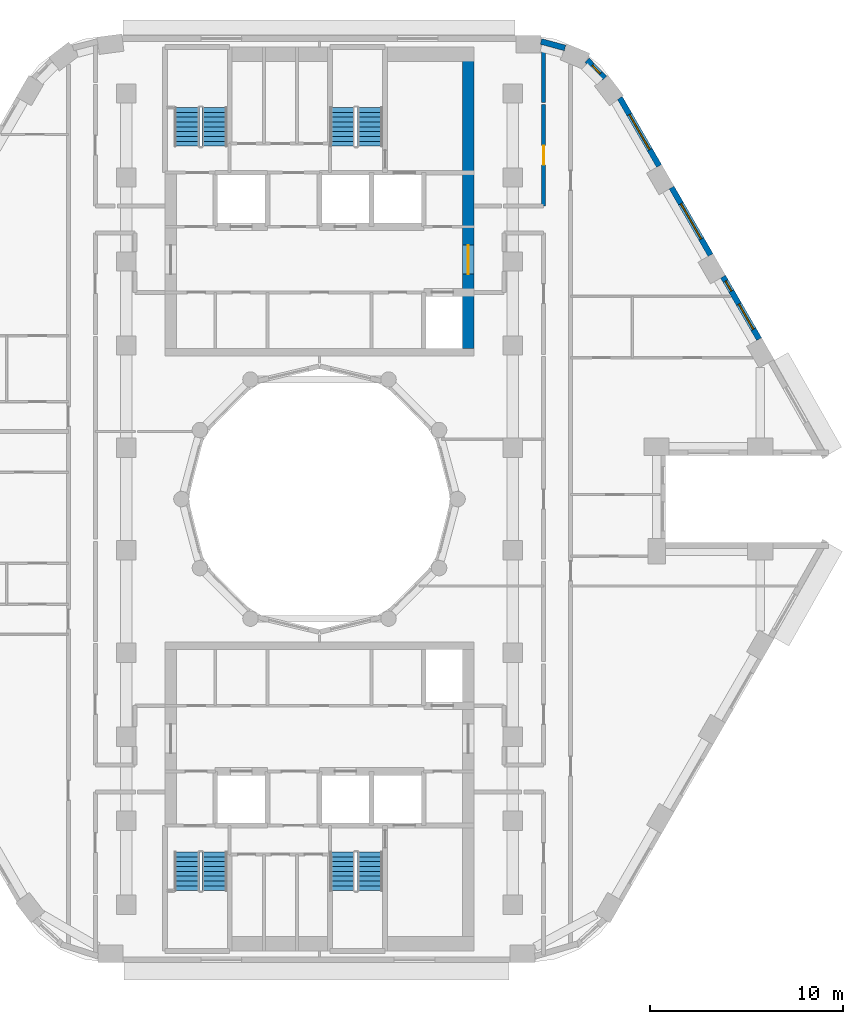
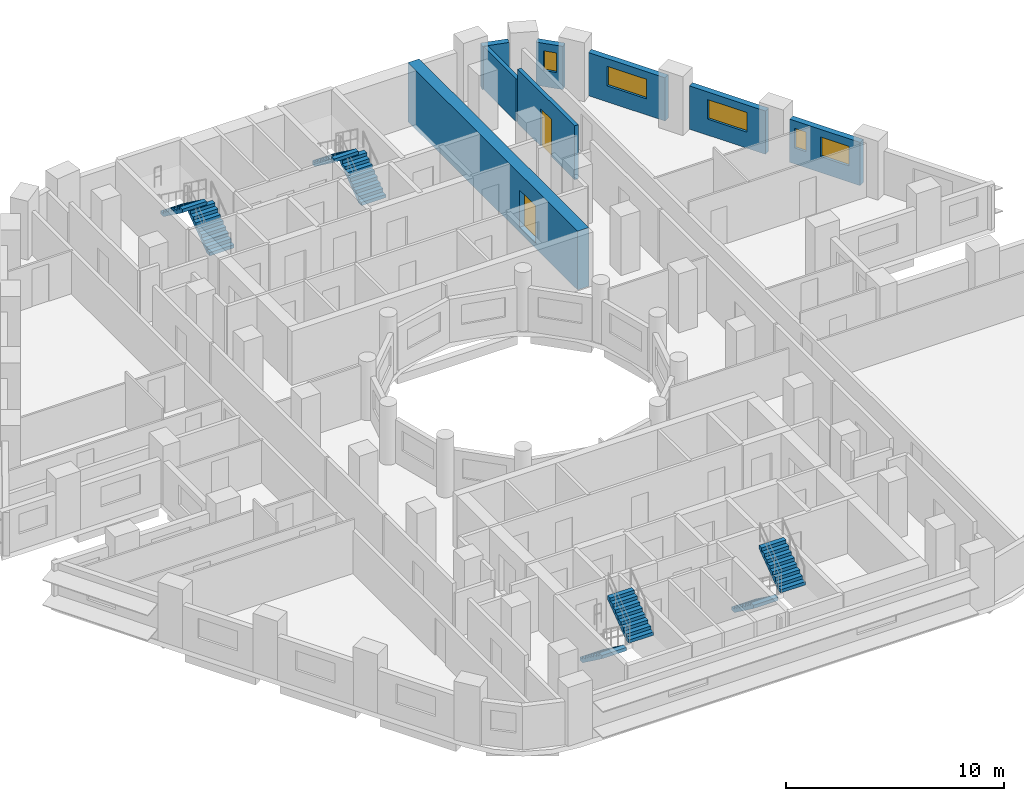
# One storey, part 9 of 13: 8 stair flights, 8 walls, 5 windows, 2 doors, 7 openings, 4 elements without a shape of their own.
"""IFC4 building model written with IfcOpenShell, lengths in metres."""

from ifc_helpers import new_model, si_unit, direction, frame, frame_2d, origin, place, context, subcontext, project, spatial, polyline, rectangle, outline, extrude, material, layer, layer_set, type_object, element, fill, aggregate, save


model = new_model("IFC4")

# Units and contexts
model_context = context("Model", 3, precision=1e-05, world=origin(), true_north=direction((0.0, 1.0)))
body_context = subcontext(model_context, "Body", "Model", "MODEL_VIEW")
ifc_project = project(units=[si_unit("LENGTHUNIT", "METRE"), si_unit("AREAUNIT", "SQUARE_METRE"), si_unit("VOLUMEUNIT", "CUBIC_METRE"), si_unit("PLANEANGLEUNIT", "RADIAN"), si_unit("MASSUNIT", "GRAM", prefix="KILO")], contexts=[model_context])

# Site, building, storey
site_placement = place(None, origin())
site = spatial("IfcSite", under=ifc_project, at=site_placement, CompositionType="ELEMENT")
building_placement = place(site_placement, origin())
building = spatial("IfcBuilding", under=site, at=building_placement, Name="Nakaniwa Court", CompositionType="ELEMENT")
storey_placement = place(building_placement, frame((0.0, 0.0, 147.0)))
storey = spatial("IfcBuildingStorey", under=building, at=storey_placement, Name="L38", CompositionType="ELEMENT", Elevation=147.0)

# Wall, opening, door
ifc_material_1 = material(Name="Acoustic double stud partition")
ifc_layer_1 = layer(ifc_material_1, 0.199951171875)
ifc_layer_set_1 = layer_set([ifc_layer_1], Name="Acoustic double stud partition")
wall_type_1 = type_object("IfcWallType", Name="Acoustic double stud partition 200", PredefinedType="PARTITIONING", material=ifc_layer_set_1)
wall_1_placement = place(storey_placement, frame((91.60009765625, 95.175048828125, 0.0), z_axis=(0.0, 0.0, 1.0), x_axis=(0.0, 1.0, 0.0)))
wall_1 = element("IfcWall", 1, at=wall_1_placement, inside=storey, type_object=wall_type_1, Name="Partition PW-077", PredefinedType="PARTITIONING", context=body_context, shape_type="SweptSolid", body=[
    extrude(rectangle(XDim=5.247802734375, YDim=0.199951171875, at=frame_2d((2.6240234375, 0.0))), origin(), (0.0, 0.0, 1.0), 3.02490234375),
])
opening_1_placement = place(wall_1_placement, frame((2.123046875, 0.0, 0.0)))
opening_1 = element("IfcOpeningElement", 2, at=opening_1_placement, cuts=wall_1, Name="Opening D-02-11", PredefinedType="OPENING", context=body_context, shape_type="SweptSolid", body=[
    extrude(rectangle(XDim=1.0, YDim=2.10009765625, at=frame_2d((0.5, 1.050048828125))), frame((0.0, 0.10986328125, 0.0), z_axis=(0.0, -1.0, 0.0), x_axis=(1.0, 0.0, 0.0)), (0.0, 0.0, 1.0), 0.219970703125),
])
ifc_material_2 = material(Name="Solid core timber door set, black veneer", Category="wood")
door_type_1 = type_object("IfcDoorType", Name="Internal door 1000", OperationType="NOTDEFINED", PredefinedType="DOOR", material=ifc_material_2)
door_1_placement = place(opening_1_placement, origin())
door_1 = element("IfcDoor", 3, at=door_1_placement, inside=storey, type_object=door_type_1, Name="Door D-02-11 L38-052", OperationType="SINGLE_SWING_LEFT", OverallHeight=2.10009765625, OverallWidth=1.0, PredefinedType="DOOR", context=body_context, shape_type="SweptSolid", body=[
    extrude(rectangle(XDim=1.0, YDim=2.10009765625, at=frame_2d((0.5, 1.050048828125))), frame((0.0, 0.02490234375, 0.0), z_axis=(0.0, -1.0, 0.0), x_axis=(1.0, 0.0, 0.0)), (0.0, 0.0, 1.0), 0.050048828125),
])
fill(opening_1, door_1)

# Wall
wall_2_placement = place(storey_placement, frame((91.60009765625, 100.537109375, 0.0), z_axis=(0.0, 0.0, 1.0), x_axis=(0.0, 1.0, 0.0)))
element("IfcWall", 4, at=wall_2_placement, inside=storey, type_object=wall_type_1, Name="Partition PW-078", PredefinedType="PARTITIONING", context=body_context, shape_type="SweptSolid", body=[
    extrude(rectangle(XDim=3.06201171875, YDim=0.199951171875, at=frame_2d((1.531005859375, 0.0))), origin(), (0.0, 0.0, 1.0), 2.405029296875),
])

# Wall, openings, windows
ifc_material_3 = material(Name="Charcoal ceramic cladding")
ifc_layer_2 = layer(ifc_material_3, 0.02, Name="Ceramic cladding")
ifc_material_4 = material(Name="Ventilated air cavity")
ifc_layer_3 = layer(ifc_material_4, 0.04, ventilated=True, Name="Ventilated cavity")
ifc_material_5 = material(Name="Mineral wool insulation")
ifc_layer_4 = layer(ifc_material_5, 0.1, Name="Insulation")
ifc_material_6 = material(Name="Cement bonded sheathing board")
ifc_layer_5 = layer(ifc_material_6, 0.012, Name="Sheathing")
ifc_material_7 = material(Name="Cold-formed galvanised stud frame with mineral wool infill")
ifc_layer_6 = layer(ifc_material_7, 0.1, Name="Stud frame")
ifc_material_8 = material(Name="Fire-rated gypsum plasterboard lining")
ifc_layer_7 = layer(ifc_material_8, 0.028, Name="Lining")
ifc_layer_set_2 = layer_set([ifc_layer_2, ifc_layer_3, ifc_layer_4, ifc_layer_5, ifc_layer_6, ifc_layer_7], Name="Charcoal ceramic faced external wall system")
wall_type_2 = type_object("IfcWallType", Name="Black ceramic faced external wall 300", PredefinedType="SOLIDWALL", material=ifc_layer_set_2)
wall_3_placement = place(storey_placement, frame((102.759521484375, 88.279052734375, 0.0), z_axis=(0.0, 0.0, 1.0), x_axis=(-0.499933594891, 0.866063739398, 0.0)))
wall_3 = element("IfcWall", 5, at=wall_3_placement, inside=storey, type_object=wall_type_2, Name="L38 external wall 03", PredefinedType="SOLIDWALL", context=body_context, shape_type="SweptSolid", body=[
    extrude(rectangle(XDim=3.73681640625, YDim=0.300048828125, at=frame_2d((1.868408203125, 0.0))), origin(), (0.0, 0.0, 1.0), 2.425048828125),
])
opening_2_placement = place(wall_3_placement, frame((0.59326171875, 0.0, 0.89990234375)))
opening_2 = element("IfcOpeningElement", 6, at=opening_2_placement, cuts=wall_3, Name="Opening W5.04", PredefinedType="OPENING", context=body_context, shape_type="SweptSolid", body=[
    extrude(rectangle(XDim=1.5, YDim=1.10009765625, at=frame_2d((0.75, 0.550048828125))), frame((0.0, 0.159912109375, 0.0), z_axis=(0.0, -1.0, 0.0), x_axis=(1.0, 0.0, 0.0)), (0.0, 0.0, 1.0), 0.320068359375),
])
opening_3_placement = place(wall_3_placement, frame((2.874755859375, 0.0, 0.89990234375)))
opening_3 = element("IfcOpeningElement", 7, at=opening_3_placement, cuts=wall_3, Name="Opening W8.05", PredefinedType="OPENING", context=body_context, shape_type="SweptSolid", body=[
    extrude(rectangle(XDim=0.60009765625, YDim=1.10009765625, at=frame_2d((0.300048828125, 0.550048828125))), frame((0.0, 0.159912109375, 0.0), z_axis=(0.0, -1.0, 0.0), x_axis=(1.0, 0.0, 0.0)), (0.0, 0.0, 1.0), 0.320068359375),
])
ifc_material_9 = material(Name="Black anodised aluminium frame with dark low-E laminated double glazing", Category="aluminium")
window_type_1 = type_object("IfcWindowType", Name="Dark glass window 1500x1100 sill 900", PartitioningType="SINGLE_PANEL", PredefinedType="WINDOW", material=ifc_material_9)
window_1_placement = place(opening_2_placement, origin())
window_1 = element("IfcWindow", 8, at=window_1_placement, inside=storey, type_object=window_type_1, Name="L38 habitable room window 03-0", OverallHeight=1.10009765625, OverallWidth=1.5, PartitioningType="SINGLE_PANEL", PredefinedType="WINDOW", context=body_context, shape_type="SweptSolid", body=[
    extrude(rectangle(XDim=1.5, YDim=1.10009765625, at=frame_2d((0.75, 0.550048828125))), frame((0.0, 0.030029296875, 0.0), z_axis=(0.0, -1.0, 0.0), x_axis=(1.0, 0.0, 0.0)), (0.0, 0.0, 1.0), 0.06005859375),
])
fill(opening_2, window_1)
window_type_2 = type_object("IfcWindowType", Name="Dark glass window 600x1100 sill 900", PartitioningType="SINGLE_PANEL", PredefinedType="WINDOW", material=ifc_material_9)
window_2_placement = place(opening_3_placement, origin())
window_2 = element("IfcWindow", 9, at=window_2_placement, inside=storey, type_object=window_type_2, Name="L38 habitable room window 03-1", OverallHeight=1.10009765625, OverallWidth=0.60009765625, PartitioningType="SINGLE_PANEL", PredefinedType="WINDOW", context=body_context, shape_type="SweptSolid", body=[
    extrude(rectangle(XDim=0.60009765625, YDim=1.10009765625, at=frame_2d((0.300048828125, 0.550048828125))), frame((0.0, 0.030029296875, 0.0), z_axis=(0.0, -1.0, 0.0), x_axis=(1.0, 0.0, 0.0)), (0.0, 0.0, 1.0), 0.06005859375),
])
fill(opening_3, window_2)

# Wall, opening, window
wall_4_placement = place(storey_placement, frame((100.245361328125, 92.63427734375, 0.0), z_axis=(0.0, 0.0, 1.0), x_axis=(-0.500031546601, 0.86600718958, 0.0)))
wall_4 = element("IfcWall", 10, at=wall_4_placement, inside=storey, type_object=wall_type_2, Name="L38 external wall 04", PredefinedType="SOLIDWALL", context=body_context, shape_type="SweptSolid", body=[
    extrude(rectangle(XDim=4.033935546875, YDim=0.300048828125, at=frame_2d((2.01708984375, 0.0))), origin(), (0.0, 0.0, 1.0), 2.425048828125),
])
opening_4_placement = place(wall_4_placement, frame((0.966796875, 0.0, 0.89990234375)))
opening_4 = element("IfcOpeningElement", 11, at=opening_4_placement, cuts=wall_4, Name="Opening W7.06", PredefinedType="OPENING", context=body_context, shape_type="SweptSolid", body=[
    extrude(rectangle(XDim=2.10009765625, YDim=1.10009765625, at=frame_2d((1.050048828125, 0.550048828125))), frame((0.0, 0.159912109375, 0.0), z_axis=(0.0, -1.0, 0.0), x_axis=(1.0, 0.0, 0.0)), (0.0, 0.0, 1.0), 0.320068359375),
])
window_type_3 = type_object("IfcWindowType", Name="Dark glass window 2100x1100 sill 900", PartitioningType="SINGLE_PANEL", PredefinedType="WINDOW", material=ifc_material_9)
window_3_placement = place(opening_4_placement, origin())
window_3 = element("IfcWindow", 12, at=window_3_placement, inside=storey, type_object=window_type_3, Name="L38 habitable room window 04-0", OverallHeight=1.10009765625, OverallWidth=2.10009765625, PartitioningType="SINGLE_PANEL", PredefinedType="WINDOW", context=body_context, shape_type="SweptSolid", body=[
    extrude(rectangle(XDim=2.10009765625, YDim=1.10009765625, at=frame_2d((1.050048828125, 0.550048828125))), frame((0.0, 0.030029296875, 0.0), z_axis=(0.0, -1.0, 0.0), x_axis=(1.0, 0.0, 0.0)), (0.0, 0.0, 1.0), 0.06005859375),
])
fill(opening_4, window_3)

wall_5_placement = place(storey_placement, frame((97.582275390625, 97.24658203125, 0.0), z_axis=(0.0, 0.0, 1.0), x_axis=(-0.500018589245, 0.866014671013, 0.0)))
wall_5 = element("IfcWall", 13, at=wall_5_placement, inside=storey, type_object=wall_type_2, Name="L38 external wall 05", PredefinedType="SOLIDWALL", context=body_context, shape_type="SweptSolid", body=[
    extrude(rectangle(XDim=4.067626953125, YDim=0.300048828125, at=frame_2d((2.03369140625, 0.0))), origin(), (0.0, 0.0, 1.0), 2.425048828125),
])
opening_5_placement = place(wall_5_placement, frame((0.97265625, 0.0, 0.89990234375)))
opening_5 = element("IfcOpeningElement", 14, at=opening_5_placement, cuts=wall_5, Name="Opening W7.07", PredefinedType="OPENING", context=body_context, shape_type="SweptSolid", body=[
    extrude(rectangle(XDim=2.10009765625, YDim=1.10009765625, at=frame_2d((1.050048828125, 0.550048828125))), frame((0.0, 0.159912109375, 0.0), z_axis=(0.0, -1.0, 0.0), x_axis=(1.0, 0.0, 0.0)), (0.0, 0.0, 1.0), 0.320068359375),
])
window_4_placement = place(opening_5_placement, origin())
window_4 = element("IfcWindow", 15, at=window_4_placement, inside=storey, type_object=window_type_3, Name="L38 habitable room window 05-0", OverallHeight=1.10009765625, OverallWidth=2.10009765625, PartitioningType="SINGLE_PANEL", PredefinedType="WINDOW", context=body_context, shape_type="SweptSolid", body=[
    extrude(rectangle(XDim=2.10009765625, YDim=1.10009765625, at=frame_2d((1.050048828125, 0.550048828125))), frame((0.0, 0.030029296875, 0.0), z_axis=(0.0, -1.0, 0.0), x_axis=(1.0, 0.0, 0.0)), (0.0, 0.0, 1.0), 0.06005859375),
])
fill(opening_5, window_4)

wall_6_placement = place(storey_placement, frame((94.76318359375, 101.79541015625, 0.0), z_axis=(0.0, 0.0, 1.0), x_axis=(-0.697598997785, 0.716488407645, 0.0)))
wall_6 = element("IfcWall", 16, at=wall_6_placement, inside=storey, type_object=wall_type_2, Name="L38 external wall 06", PredefinedType="SOLIDWALL", context=body_context, shape_type="SweptSolid", body=[
    extrude(rectangle(XDim=1.305419921875, YDim=0.300048828125, at=frame_2d((0.65283203125, 0.0))), origin(), (0.0, 0.0, 1.0), 2.425048828125),
])
opening_6_placement = place(wall_6_placement, frame((0.328125, 0.0, 0.89990234375)))
opening_6 = element("IfcOpeningElement", 17, at=opening_6_placement, cuts=wall_6, Name="Opening W8.08", PredefinedType="OPENING", context=body_context, shape_type="SweptSolid", body=[
    extrude(rectangle(XDim=0.60009765625, YDim=1.10009765625, at=frame_2d((0.300048828125, 0.550048828125))), frame((0.0, 0.159912109375, 0.0), z_axis=(0.0, -1.0, 0.0), x_axis=(1.0, 0.0, 0.0)), (0.0, 0.0, 1.0), 0.320068359375),
])
window_5_placement = place(opening_6_placement, origin())
window_5 = element("IfcWindow", 18, at=window_5_placement, inside=storey, type_object=window_type_2, Name="L38 habitable room window 06-0", OverallHeight=1.10009765625, OverallWidth=0.60009765625, PartitioningType="SINGLE_PANEL", PredefinedType="WINDOW", context=body_context, shape_type="SweptSolid", body=[
    extrude(rectangle(XDim=0.60009765625, YDim=1.10009765625, at=frame_2d((0.300048828125, 0.550048828125))), frame((0.0, 0.030029296875, 0.0), z_axis=(0.0, -1.0, 0.0), x_axis=(1.0, 0.0, 0.0)), (0.0, 0.0, 1.0), 0.06005859375),
])
fill(opening_6, window_5)

# Wall
wall_7_placement = place(storey_placement, frame((92.712890625, 103.3564453125, 0.0), z_axis=(0.0, 0.0, 1.0), x_axis=(-0.965274225809, 0.26123872031, 0.0)))
element("IfcWall", 19, at=wall_7_placement, inside=storey, type_object=wall_type_2, Name="L38 external wall 07", PredefinedType="SOLIDWALL", context=body_context, shape_type="SweptSolid", body=[
    extrude(rectangle(XDim=1.286865234375, YDim=0.300048828125, at=frame_2d((0.6435546875, 0.0))), origin(), (0.0, 0.0, 1.0), 2.425048828125),
])

# Wall, opening, door
ifc_material_10 = material(Name="Concrete C80/100", Category="concrete")
ifc_layer_8 = layer(ifc_material_10, 0.60009765625)
ifc_layer_set_3 = layer_set([ifc_layer_8], Name="Concrete C80/100")
wall_type_3 = type_object("IfcWallType", Name="Concrete core side wall 600 C80", PredefinedType="SHEAR", material=ifc_layer_set_3)
wall_8_placement = place(storey_placement, frame((87.699951171875, 103.39990234375, -0.27490234375), z_axis=(0.0, 0.0, 1.0), x_axis=(0.0, -1.0, 0.0)))
wall_8 = element("IfcWall", 20, at=wall_8_placement, inside=storey, type_object=wall_type_3, Name="Core wall SW-07", PredefinedType="SHEAR", context=body_context, shape_type="SweptSolid", body=[
    extrude(rectangle(XDim=15.599853515625, YDim=0.60009765625, at=frame_2d((7.7998046875, 0.0))), origin(), (0.0, 0.0, 1.0), 3.2998046875),
])
opening_7_placement = place(wall_8_placement, frame((10.248046875, 0.0, 0.27490234375)))
opening_7 = element("IfcOpeningElement", 21, at=opening_7_placement, cuts=wall_8, Name="Opening D-07-01", PredefinedType="OPENING", context=body_context, shape_type="SweptSolid", body=[
    extrude(rectangle(XDim=1.5, YDim=2.10009765625, at=frame_2d((0.75, 1.050048828125))), frame((0.0, 0.31005859375, 0.0), z_axis=(0.0, -1.0, 0.0), x_axis=(1.0, 0.0, 0.0)), (0.0, 0.0, 1.0), 0.6201171875),
])
ifc_material_11 = material(Name="Glazed fire rated steel double door set", Category="steel")
door_type_2 = type_object("IfcDoorType", Name="Lobby double door 1500", OperationType="NOTDEFINED", PredefinedType="DOOR", material=ifc_material_11)
door_2_placement = place(opening_7_placement, origin())
door_2 = element("IfcDoor", 22, at=door_2_placement, inside=storey, type_object=door_type_2, Name="Door D-07-01 L38-054", OperationType="DOUBLE_DOOR_SINGLE_SWING", OverallHeight=2.10009765625, OverallWidth=1.5, PredefinedType="DOOR", context=body_context, shape_type="SweptSolid", body=[
    extrude(rectangle(XDim=1.5, YDim=2.10009765625, at=frame_2d((0.75, 1.050048828125))), frame((0.0, 0.02490234375, 0.0), z_axis=(0.0, -1.0, 0.0), x_axis=(1.0, 0.0, 0.0)), (0.0, 0.0, 1.0), 0.050048828125),
])
fill(opening_7, door_2)

# Stair, stair flights
stair_type = type_object("IfcStairType", Name="Dog leg stair 1300 wide 18 risers", PredefinedType="HALF_TURN_STAIR", material=ifc_material_10)
stair_1_placement = place(storey_placement, origin())
stair_1 = element("IfcStair", 23, at=stair_1_placement, inside=storey, type_object=stair_type, Name="L38 Stair ST1", PredefinedType="HALF_TURN_STAIR")
stair_flight_type = type_object("IfcStairFlightType", Name="Stair flight 1300 wide 9 risers", PredefinedType="STRAIGHT", material=ifc_material_10)
stair_flight_1_placement = place(storey_placement, frame((74.574951171875, 98.27490234375, 0.0), z_axis=(0.0, 0.0, 1.0), x_axis=(0.0, 1.0, 0.0)))
stair_flight_1 = element("IfcStairFlight", 24, at=stair_flight_1_placement, type_object=stair_flight_type, Name="ST1 flight 1", NumberOfRisers=9, NumberOfTreads=8, PredefinedType="STRAIGHT", RiserHeight=0.183333333, TreadLength=0.25, context=body_context, shape_type="SweptSolid", body=[
    extrude(outline(polyline([(0.0, 0.0), (0.0, 0.026123046875), (0.0, 0.052490234375), (0.0, 0.07861328125), (0.0, 0.104736328125), (0.0, 0.130859375), (0.0, 0.1572265625), (0.0, 0.183349609375), (0.25, 0.183349609375), (0.25, 0.36669921875), (0.5, 0.36669921875), (0.5, 0.550048828125), (0.75, 0.550048828125), (0.75, 0.7333984375), (1.0, 0.7333984375), (1.0, 0.916748046875), (1.25, 0.916748046875), (1.25, 1.10009765625), (1.5, 1.10009765625), (1.5, 1.283447265625), (1.75, 1.283447265625), (1.75, 1.466552734375), (2.0, 1.466552734375), (2.0, 1.64990234375), (2.0, 1.59716796875), (2.0, 1.54443359375), (2.0, 1.49169921875), (2.0, 1.43896484375), (2.0, 1.38623046875), (2.0, 1.33349609375), (2.0, 1.28076171875), (0.25341796875, 0.0), (0.0, 0.0)])), frame((0.0, 0.64990234375, 0.0), z_axis=(0.0, -1.0, 0.0), x_axis=(1.0, 0.0, 0.0)), (0.0, 0.0, 1.0), 1.300048828125),
])
stair_flight_2_placement = place(storey_placement, frame((73.125, 100.27490234375, 1.64990234375), z_axis=(0.0, 0.0, 1.0), x_axis=(0.0, -1.0, 0.0)))
stair_flight_2 = element("IfcStairFlight", 25, at=stair_flight_2_placement, type_object=stair_flight_type, Name="ST1 flight 2", NumberOfRisers=9, NumberOfTreads=8, PredefinedType="STRAIGHT", RiserHeight=0.183333333, TreadLength=0.25, context=body_context, shape_type="SweptSolid", body=[
    extrude(outline(polyline([(0.0, 0.0), (0.0, 0.026123046875), (0.0, 0.052490234375), (0.0, 0.07861328125), (0.0, 0.104736328125), (0.0, 0.130859375), (0.0, 0.1572265625), (0.0, 0.183349609375), (0.25, 0.183349609375), (0.25, 0.36669921875), (0.5, 0.36669921875), (0.5, 0.550048828125), (0.75, 0.550048828125), (0.75, 0.7333984375), (1.0, 0.7333984375), (1.0, 0.916748046875), (1.25, 0.916748046875), (1.25, 1.10009765625), (1.5, 1.10009765625), (1.5, 1.283447265625), (1.75, 1.283447265625), (1.75, 1.466552734375), (2.0, 1.466552734375), (2.0, 1.64990234375), (2.0, 1.59716796875), (2.0, 1.54443359375), (2.0, 1.49169921875), (2.0, 1.43896484375), (2.0, 1.38623046875), (2.0, 1.33349609375), (2.0, 1.28076171875), (0.25341796875, 0.0), (0.0, 0.0)])), frame((0.0, 0.64990234375, 0.0), z_axis=(0.0, -1.0, 0.0), x_axis=(1.0, 0.0, 0.0)), (0.0, 0.0, 1.0), 1.300048828125),
])
aggregate(stair_1, [stair_flight_1, stair_flight_2])

stair_2_placement = place(storey_placement, origin())
stair_2 = element("IfcStair", 26, at=stair_2_placement, inside=storey, type_object=stair_type, Name="L38 Stair ST2", PredefinedType="HALF_TURN_STAIR")
stair_flight_3_placement = place(storey_placement, frame((82.625, 98.27490234375, 0.0), z_axis=(0.0, 0.0, 1.0), x_axis=(0.0, 1.0, 0.0)))
stair_flight_3 = element("IfcStairFlight", 27, at=stair_flight_3_placement, type_object=stair_flight_type, Name="ST2 flight 1", NumberOfRisers=9, NumberOfTreads=8, PredefinedType="STRAIGHT", RiserHeight=0.183333333, TreadLength=0.25, context=body_context, shape_type="SweptSolid", body=[
    extrude(outline(polyline([(0.0, 0.0), (0.0, 0.026123046875), (0.0, 0.052490234375), (0.0, 0.07861328125), (0.0, 0.104736328125), (0.0, 0.130859375), (0.0, 0.1572265625), (0.0, 0.183349609375), (0.25, 0.183349609375), (0.25, 0.36669921875), (0.5, 0.36669921875), (0.5, 0.550048828125), (0.75, 0.550048828125), (0.75, 0.7333984375), (1.0, 0.7333984375), (1.0, 0.916748046875), (1.25, 0.916748046875), (1.25, 1.10009765625), (1.5, 1.10009765625), (1.5, 1.283447265625), (1.75, 1.283447265625), (1.75, 1.466552734375), (2.0, 1.466552734375), (2.0, 1.64990234375), (2.0, 1.59716796875), (2.0, 1.54443359375), (2.0, 1.49169921875), (2.0, 1.43896484375), (2.0, 1.38623046875), (2.0, 1.33349609375), (2.0, 1.28076171875), (0.25341796875, 0.0), (0.0, 0.0)])), frame((0.0, 0.64990234375, 0.0), z_axis=(0.0, -1.0, 0.0), x_axis=(1.0, 0.0, 0.0)), (0.0, 0.0, 1.0), 1.300048828125),
])
stair_flight_4_placement = place(storey_placement, frame((81.175048828125, 100.27490234375, 1.64990234375), z_axis=(0.0, 0.0, 1.0), x_axis=(0.0, -1.0, 0.0)))
stair_flight_4 = element("IfcStairFlight", 28, at=stair_flight_4_placement, type_object=stair_flight_type, Name="ST2 flight 2", NumberOfRisers=9, NumberOfTreads=8, PredefinedType="STRAIGHT", RiserHeight=0.183333333, TreadLength=0.25, context=body_context, shape_type="SweptSolid", body=[
    extrude(outline(polyline([(0.0, 0.0), (0.0, 0.026123046875), (0.0, 0.052490234375), (0.0, 0.07861328125), (0.0, 0.104736328125), (0.0, 0.130859375), (0.0, 0.1572265625), (0.0, 0.183349609375), (0.25, 0.183349609375), (0.25, 0.36669921875), (0.5, 0.36669921875), (0.5, 0.550048828125), (0.75, 0.550048828125), (0.75, 0.7333984375), (1.0, 0.7333984375), (1.0, 0.916748046875), (1.25, 0.916748046875), (1.25, 1.10009765625), (1.5, 1.10009765625), (1.5, 1.283447265625), (1.75, 1.283447265625), (1.75, 1.466552734375), (2.0, 1.466552734375), (2.0, 1.64990234375), (2.0, 1.59716796875), (2.0, 1.54443359375), (2.0, 1.49169921875), (2.0, 1.43896484375), (2.0, 1.38623046875), (2.0, 1.33349609375), (2.0, 1.28076171875), (0.25341796875, 0.0), (0.0, 0.0)])), frame((0.0, 0.64990234375, 0.0), z_axis=(0.0, -1.0, 0.0), x_axis=(1.0, 0.0, 0.0)), (0.0, 0.0, 1.0), 1.300048828125),
])
aggregate(stair_2, [stair_flight_3, stair_flight_4])

stair_3_placement = place(storey_placement, origin())
stair_3 = element("IfcStair", 29, at=stair_3_placement, inside=storey, type_object=stair_type, Name="L38 Stair ST3", PredefinedType="HALF_TURN_STAIR")
stair_flight_5_placement = place(storey_placement, frame((73.125, 61.72509765625, 0.0), z_axis=(0.0, 0.0, 1.0), x_axis=(0.0, -1.0, 0.0)))
stair_flight_5 = element("IfcStairFlight", 30, at=stair_flight_5_placement, type_object=stair_flight_type, Name="ST3 flight 1", NumberOfRisers=9, NumberOfTreads=8, PredefinedType="STRAIGHT", RiserHeight=0.183333333, TreadLength=0.25, context=body_context, shape_type="SweptSolid", body=[
    extrude(outline(polyline([(0.0, 0.0), (0.0, 0.026123046875), (0.0, 0.052490234375), (0.0, 0.07861328125), (0.0, 0.104736328125), (0.0, 0.130859375), (0.0, 0.1572265625), (0.0, 0.183349609375), (0.25, 0.183349609375), (0.25, 0.36669921875), (0.5, 0.36669921875), (0.5, 0.550048828125), (0.75, 0.550048828125), (0.75, 0.7333984375), (1.0, 0.7333984375), (1.0, 0.916748046875), (1.25, 0.916748046875), (1.25, 1.10009765625), (1.5, 1.10009765625), (1.5, 1.283447265625), (1.75, 1.283447265625), (1.75, 1.466552734375), (2.0, 1.466552734375), (2.0, 1.64990234375), (2.0, 1.59716796875), (2.0, 1.54443359375), (2.0, 1.49169921875), (2.0, 1.43896484375), (2.0, 1.38623046875), (2.0, 1.33349609375), (2.0, 1.28076171875), (0.25341796875, 0.0), (0.0, 0.0)])), frame((0.0, 0.64990234375, 0.0), z_axis=(0.0, -1.0, 0.0), x_axis=(1.0, 0.0, 0.0)), (0.0, 0.0, 1.0), 1.300048828125),
])
stair_flight_6_placement = place(storey_placement, frame((74.574951171875, 59.72509765625, 1.64990234375), z_axis=(0.0, 0.0, 1.0), x_axis=(0.0, 1.0, 0.0)))
stair_flight_6 = element("IfcStairFlight", 31, at=stair_flight_6_placement, type_object=stair_flight_type, Name="ST3 flight 2", NumberOfRisers=9, NumberOfTreads=8, PredefinedType="STRAIGHT", RiserHeight=0.183333333, TreadLength=0.25, context=body_context, shape_type="SweptSolid", body=[
    extrude(outline(polyline([(0.0, 0.0), (0.0, 0.026123046875), (0.0, 0.052490234375), (0.0, 0.07861328125), (0.0, 0.104736328125), (0.0, 0.130859375), (0.0, 0.1572265625), (0.0, 0.183349609375), (0.25, 0.183349609375), (0.25, 0.36669921875), (0.5, 0.36669921875), (0.5, 0.550048828125), (0.75, 0.550048828125), (0.75, 0.7333984375), (1.0, 0.7333984375), (1.0, 0.916748046875), (1.25, 0.916748046875), (1.25, 1.10009765625), (1.5, 1.10009765625), (1.5, 1.283447265625), (1.75, 1.283447265625), (1.75, 1.466552734375), (2.0, 1.466552734375), (2.0, 1.64990234375), (2.0, 1.59716796875), (2.0, 1.54443359375), (2.0, 1.49169921875), (2.0, 1.43896484375), (2.0, 1.38623046875), (2.0, 1.33349609375), (2.0, 1.28076171875), (0.25341796875, 0.0), (0.0, 0.0)])), frame((0.0, 0.64990234375, 0.0), z_axis=(0.0, -1.0, 0.0), x_axis=(1.0, 0.0, 0.0)), (0.0, 0.0, 1.0), 1.300048828125),
])
aggregate(stair_3, [stair_flight_5, stair_flight_6])

stair_4_placement = place(storey_placement, origin())
stair_4 = element("IfcStair", 32, at=stair_4_placement, inside=storey, type_object=stair_type, Name="L38 Stair ST4", PredefinedType="HALF_TURN_STAIR")
stair_flight_7_placement = place(storey_placement, frame((81.175048828125, 61.72509765625, 0.0), z_axis=(0.0, 0.0, 1.0), x_axis=(0.0, -1.0, 0.0)))
stair_flight_7 = element("IfcStairFlight", 33, at=stair_flight_7_placement, type_object=stair_flight_type, Name="ST4 flight 1", NumberOfRisers=9, NumberOfTreads=8, PredefinedType="STRAIGHT", RiserHeight=0.183333333, TreadLength=0.25, context=body_context, shape_type="SweptSolid", body=[
    extrude(outline(polyline([(0.0, 0.0), (0.0, 0.026123046875), (0.0, 0.052490234375), (0.0, 0.07861328125), (0.0, 0.104736328125), (0.0, 0.130859375), (0.0, 0.1572265625), (0.0, 0.183349609375), (0.25, 0.183349609375), (0.25, 0.36669921875), (0.5, 0.36669921875), (0.5, 0.550048828125), (0.75, 0.550048828125), (0.75, 0.7333984375), (1.0, 0.7333984375), (1.0, 0.916748046875), (1.25, 0.916748046875), (1.25, 1.10009765625), (1.5, 1.10009765625), (1.5, 1.283447265625), (1.75, 1.283447265625), (1.75, 1.466552734375), (2.0, 1.466552734375), (2.0, 1.64990234375), (2.0, 1.59716796875), (2.0, 1.54443359375), (2.0, 1.49169921875), (2.0, 1.43896484375), (2.0, 1.38623046875), (2.0, 1.33349609375), (2.0, 1.28076171875), (0.25341796875, 0.0), (0.0, 0.0)])), frame((0.0, 0.64990234375, 0.0), z_axis=(0.0, -1.0, 0.0), x_axis=(1.0, 0.0, 0.0)), (0.0, 0.0, 1.0), 1.300048828125),
])
stair_flight_8_placement = place(storey_placement, frame((82.625, 59.72509765625, 1.64990234375), z_axis=(0.0, 0.0, 1.0), x_axis=(0.0, 1.0, 0.0)))
stair_flight_8 = element("IfcStairFlight", 34, at=stair_flight_8_placement, type_object=stair_flight_type, Name="ST4 flight 2", NumberOfRisers=9, NumberOfTreads=8, PredefinedType="STRAIGHT", RiserHeight=0.183333333, TreadLength=0.25, context=body_context, shape_type="SweptSolid", body=[
    extrude(outline(polyline([(0.0, 0.0), (0.0, 0.026123046875), (0.0, 0.052490234375), (0.0, 0.07861328125), (0.0, 0.104736328125), (0.0, 0.130859375), (0.0, 0.1572265625), (0.0, 0.183349609375), (0.25, 0.183349609375), (0.25, 0.36669921875), (0.5, 0.36669921875), (0.5, 0.550048828125), (0.75, 0.550048828125), (0.75, 0.7333984375), (1.0, 0.7333984375), (1.0, 0.916748046875), (1.25, 0.916748046875), (1.25, 1.10009765625), (1.5, 1.10009765625), (1.5, 1.283447265625), (1.75, 1.283447265625), (1.75, 1.466552734375), (2.0, 1.466552734375), (2.0, 1.64990234375), (2.0, 1.59716796875), (2.0, 1.54443359375), (2.0, 1.49169921875), (2.0, 1.43896484375), (2.0, 1.38623046875), (2.0, 1.33349609375), (2.0, 1.28076171875), (0.25341796875, 0.0), (0.0, 0.0)])), frame((0.0, 0.64990234375, 0.0), z_axis=(0.0, -1.0, 0.0), x_axis=(1.0, 0.0, 0.0)), (0.0, 0.0, 1.0), 1.300048828125),
])
aggregate(stair_4, [stair_flight_7, stair_flight_8])

save(model, "model.ifc")
